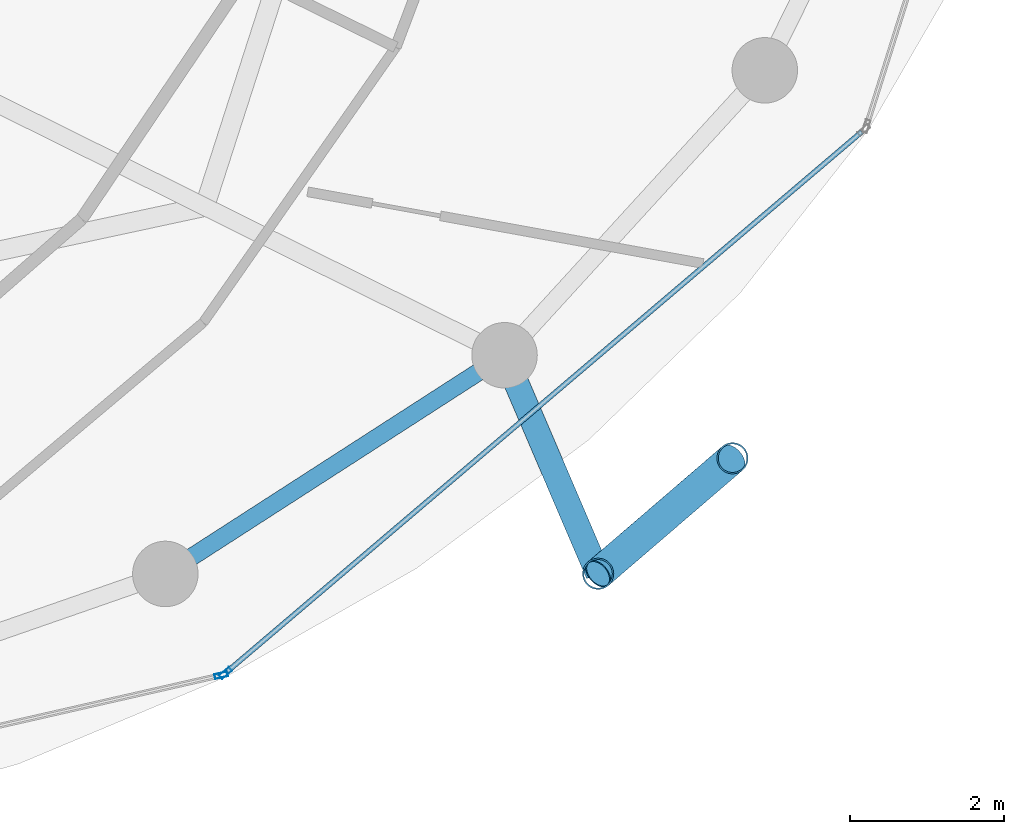
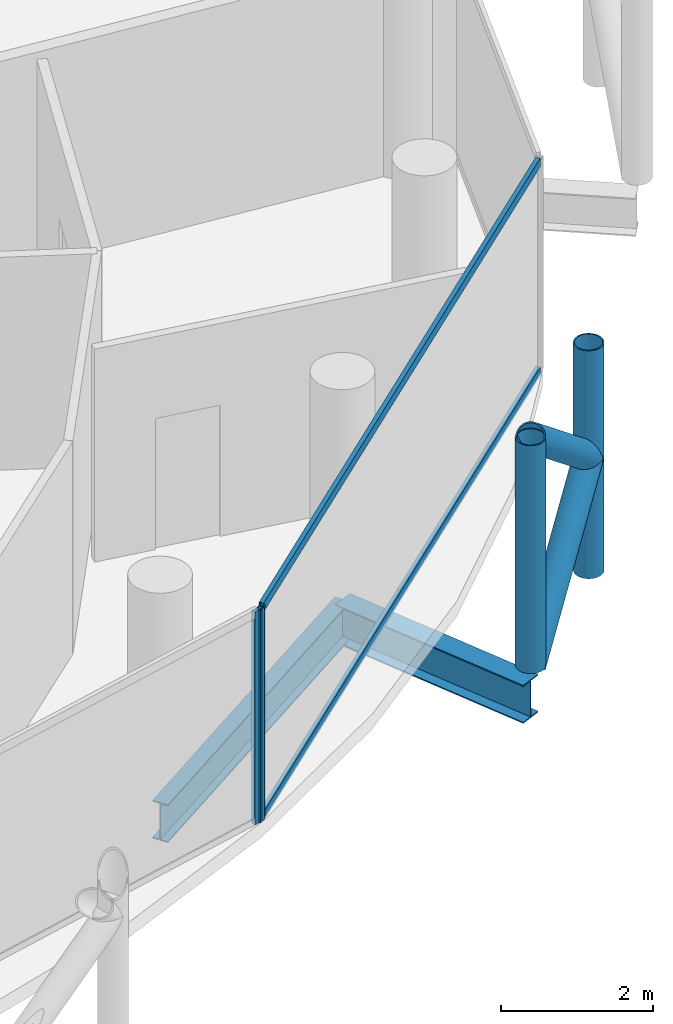
# One storey, part 11 of 27: 8 members, 2 beams, 2 elements without a shape of their own.
"""IFC4 building model written with IfcOpenShell, lengths in metres."""

from ifc_helpers import new_model, si_unit, direction, frame, origin, origin_2d, place, context, subcontext, project, spatial, hollow_rectangle, hollow_circle, i_section, extrude, material, layer, layer_set, material_profile, profile_set, type_object, element, aggregate, save


model = new_model("IFC4")

# Units and contexts
model_context = context("Model", 3, precision=1e-05, world=origin(), true_north=direction((0.0, 1.0)))
body_context = subcontext(model_context, "Body", "Model", "MODEL_VIEW")
ifc_project = project(units=[si_unit("LENGTHUNIT", "METRE"), si_unit("AREAUNIT", "SQUARE_METRE"), si_unit("VOLUMEUNIT", "CUBIC_METRE"), si_unit("PLANEANGLEUNIT", "RADIAN"), si_unit("MASSUNIT", "GRAM", prefix="KILO")], contexts=[model_context])

# Site, building, storey
site_placement = place(None, origin())
site = spatial("IfcSite", under=ifc_project, at=site_placement, CompositionType="ELEMENT")
building_placement = place(site_placement, origin())
building = spatial("IfcBuilding", under=site, at=building_placement, Name="Nuhasar Tower", CompositionType="ELEMENT")
storey_placement = place(building_placement, frame((0.0, 0.0, 244.64990234375)))
storey = spatial("IfcBuildingStorey", under=building, at=storey_placement, Name="L60", CompositionType="ELEMENT", Elevation=244.64990234375)

# Beams
ifc_material_1 = material(Name="Steel S355", Category="steel")
ifc_material_profile_1 = material_profile(ifc_material_1, i_section(OverallWidth=0.22802734375, OverallDepth=0.60791015625, WebThickness=0.01123046875, FlangeThickness=0.017333984375, at=origin_2d()), Name="W24X76")
ifc_profile_set_1 = profile_set([ifc_material_profile_1], Name="Steel S355")
beam_type_1 = type_object("IfcBeamType", Name="BM-RING-W24X76", PredefinedType="SPANDREL", material=ifc_profile_set_1)
beam_1_placement = place(storey_placement, frame((49.625, 11.341064453125, -0.5439453125), z_axis=(0.840502144969, 0.541808217272, 0.0), x_axis=(-0.541808217272, 0.840502144969, 0.0)))
element("IfcBeam", 1, at=beam_1_placement, inside=storey, type_object=beam_type_1, Name="L60 Perimeter Ring Spandrel 21", PredefinedType="SPANDREL", context=body_context, shape_type="SweptSolid", body=[
    extrude(i_section(OverallWidth=0.22802734375, OverallDepth=0.60791015625, WebThickness=0.01123046875, FlangeThickness=0.017333984375, at=origin_2d()), origin(), (0.0, 0.0, 1.0), 5.236083984375),
])
ifc_material_profile_2 = material_profile(ifc_material_1, i_section(OverallWidth=0.323974609375, OverallDepth=0.611083984375, WebThickness=0.0126953125, FlangeThickness=0.01904296875, at=origin_2d()), Name="W24X104")
ifc_profile_set_2 = profile_set([ifc_material_profile_2], Name="Steel S355")
beam_type_2 = type_object("IfcBeamType", Name="BM-TIE-W24X104", PredefinedType="BEAM", material=ifc_profile_set_2)
beam_2_placement = place(storey_placement, frame((54.02587890625, 14.177978515625, -0.544921875), z_axis=(0.393680429682, -0.919247365667, 0.0), x_axis=(0.919247365667, 0.393680429682, 0.0)))
element("IfcBeam", 2, at=beam_2_placement, inside=storey, type_object=beam_type_2, Name="L60 Exoskeleton Node Tie Beam 11", PredefinedType="BEAM", context=body_context, shape_type="SweptSolid", body=[
    extrude(i_section(OverallWidth=0.323974609375, OverallDepth=0.611083984375, WebThickness=0.0126953125, FlangeThickness=0.01904296875, at=origin_2d()), origin(), (0.0, 0.0, 1.0), 3.083984375),
])

# Curtain wall, member
ifc_material_2 = material(Name="Aluminium 6063-T6", Category="aluminium")
ifc_layer = layer(ifc_material_2, 0.18994140625)
ifc_layer_set = layer_set([ifc_layer], Name="Aluminium 6063-T6")
curtain_wall_type = type_object("IfcCurtainWallType", Name="CW-Z3-RES", PredefinedType="NOTDEFINED", material=ifc_layer_set)
curtain_wall_1_placement = place(storey_placement, origin())
curtain_wall_1 = element("IfcCurtainWall", 3, at=curtain_wall_1_placement, inside=storey, type_object=curtain_wall_type, Name="L60 Unitised Curtain Wall 10", PredefinedType="NOTDEFINED")
ifc_material_profile_3 = material_profile(ifc_material_2, hollow_rectangle(XDim=0.06494140625, YDim=0.169921875, WallThickness=0.0048828125, at=origin_2d()), Name="CWM-4")
ifc_profile_set_3 = profile_set([ifc_material_profile_3], Name="Aluminium 6063-T6")
member_type_1 = type_object("IfcMemberType", Name="CW-MUL-S4", PredefinedType="MULLION", material=ifc_profile_set_3)
member_1_placement = place(storey_placement, frame((50.348388671875, 10.02685546875, 0.0), z_axis=(0.0, 0.0, 1.0), x_axis=(-0.222243176313, 0.974991266926, 0.0)))
member_1 = element("IfcMember", 4, at=member_1_placement, type_object=member_type_1, Name="CW-Z3 mullion 2", PredefinedType="MULLION", context=body_context, shape_type="SweptSolid", body=[
    extrude(hollow_rectangle(XDim=0.06494140625, YDim=0.169921875, WallThickness=0.0048828125, at=origin_2d()), origin(), (0.0, 0.0, 1.0), 3.41015625),
])
aggregate(curtain_wall_1, [member_1])

# Curtain wall, members
curtain_wall_2_placement = place(storey_placement, origin())
curtain_wall_2 = element("IfcCurtainWall", 5, at=curtain_wall_2_placement, inside=storey, type_object=curtain_wall_type, Name="L60 Unitised Curtain Wall 11", PredefinedType="NOTDEFINED")
member_2_placement = place(storey_placement, frame((50.40478515625, 10.05517578125, 0.0), z_axis=(0.0, 0.0, 1.0), x_axis=(-0.64789521578, 0.761729472562, 0.0)))
member_2 = element("IfcMember", 6, at=member_2_placement, type_object=member_type_1, Name="CW-Z3 mullion 1", PredefinedType="MULLION", context=body_context, shape_type="SweptSolid", body=[
    extrude(hollow_rectangle(XDim=0.06494140625, YDim=0.169921875, WallThickness=0.0048828125, at=origin_2d()), origin(), (0.0, 0.0, 1.0), 3.41015625),
])
ifc_material_profile_4 = material_profile(ifc_material_2, hollow_rectangle(XDim=0.06494140625, YDim=0.139892578125, WallThickness=0.00439453125, at=origin_2d()), Name="CWT-4")
ifc_profile_set_4 = profile_set([ifc_material_profile_4], Name="Aluminium 6063-T6")
member_type_2 = type_object("IfcMemberType", Name="CW-TRN-S4", PredefinedType="USERDEFINED", material=ifc_profile_set_4)
member_3_placement = place(storey_placement, frame((50.429443359375, 10.076171875, 0.03271484375), z_axis=(0.761730809511, 0.647893643928, 0.0), x_axis=(-0.647893643928, 0.761730809511, 0.0)))
member_3 = element("IfcMember", 7, at=member_3_placement, type_object=member_type_2, Name="CW-Z3 transom 1.1", ObjectType="TRANSOM", PredefinedType="USERDEFINED", context=body_context, shape_type="SweptSolid", body=[
    extrude(hollow_rectangle(XDim=0.06494140625, YDim=0.139892578125, WallThickness=0.00439453125, at=origin_2d()), origin(), (0.0, 0.0, 1.0), 10.806884765625),
])
member_4_placement = place(storey_placement, frame((50.429443359375, 10.076171875, 3.377685546875), z_axis=(0.761730809511, 0.647893643928, 0.0), x_axis=(-0.647893643928, 0.761730809511, 0.0)))
member_4 = element("IfcMember", 8, at=member_4_placement, type_object=member_type_2, Name="CW-Z3 transom 1.2", ObjectType="TRANSOM", PredefinedType="USERDEFINED", context=body_context, shape_type="SweptSolid", body=[
    extrude(hollow_rectangle(XDim=0.06494140625, YDim=0.139892578125, WallThickness=0.00439453125, at=origin_2d()), origin(), (0.0, 0.0, 1.0), 10.806884765625),
])
aggregate(curtain_wall_2, [member_2, member_3, member_4])

# Members
ifc_material_3 = material(Name="Steel S460", Category="steel")
ifc_material_profile_5 = material_profile(ifc_material_3, hollow_circle(Radius=0.203125, WallThickness=0.01904296875, at=origin_2d()), Name="HSS406.4X19.1")
ifc_profile_set_5 = profile_set([ifc_material_profile_5], Name="Steel S460")
member_type_3 = type_object("IfcMemberType", Name="EXO-BRONZE-406", PredefinedType="BRACE", material=ifc_profile_set_5)
for number, where, z_axis, x_axis, name in (
    (9, (55.239990234375, 11.343017578125, 0.0), (0.0, 0.0, 1.0), (1.0, 0.0, 0.0), "L60 Exoskeleton Chord Column EC-11A"),
    (10, (56.98388671875, 12.842041015625, 0.0), (0.0, 0.0, 1.0), (1.0, 0.0, 0.0), "L60 Exoskeleton Chord Column EC-11B"),
):
    element("IfcMember", number, at=place(storey_placement, frame(where, z_axis=z_axis, x_axis=x_axis)), inside=storey, type_object=member_type_3, Name=name, PredefinedType="BRACE", context=body_context, shape_type="SweptSolid", body=[
        extrude(hollow_circle(Radius=0.203125, WallThickness=0.01904296875, at=origin_2d()), origin(), (0.0, 0.0, 1.0), 3.650146484375),
    ])
for number, where, z_axis, x_axis, name in (
    (11, (55.239990234375, 11.343017578125, 0.0), (0.593987827832, 0.51058172517, 0.621678986543), (-0.65185738425, 0.758341579104, 0.0), "L60 Bronze Diagrid Brace W1-11"),
    (12, (56.98388671875, 12.842041015625, 1.8251953125), (-0.594018535389, -0.510608120858, 0.621627964725), (0.65185738425, -0.758341579104, 0.0), "L60 Bronze Diagrid Brace W2-11"),
):
    element("IfcMember", number, at=place(storey_placement, frame(where, z_axis=z_axis, x_axis=x_axis)), inside=storey, type_object=member_type_3, Name=name, PredefinedType="BRACE", context=body_context, shape_type="SweptSolid", body=[
        extrude(hollow_circle(Radius=0.203125, WallThickness=0.01904296875, at=origin_2d()), origin(), (0.0, 0.0, 1.0), 2.935791015625),
    ])

save(model, "model.ifc")
